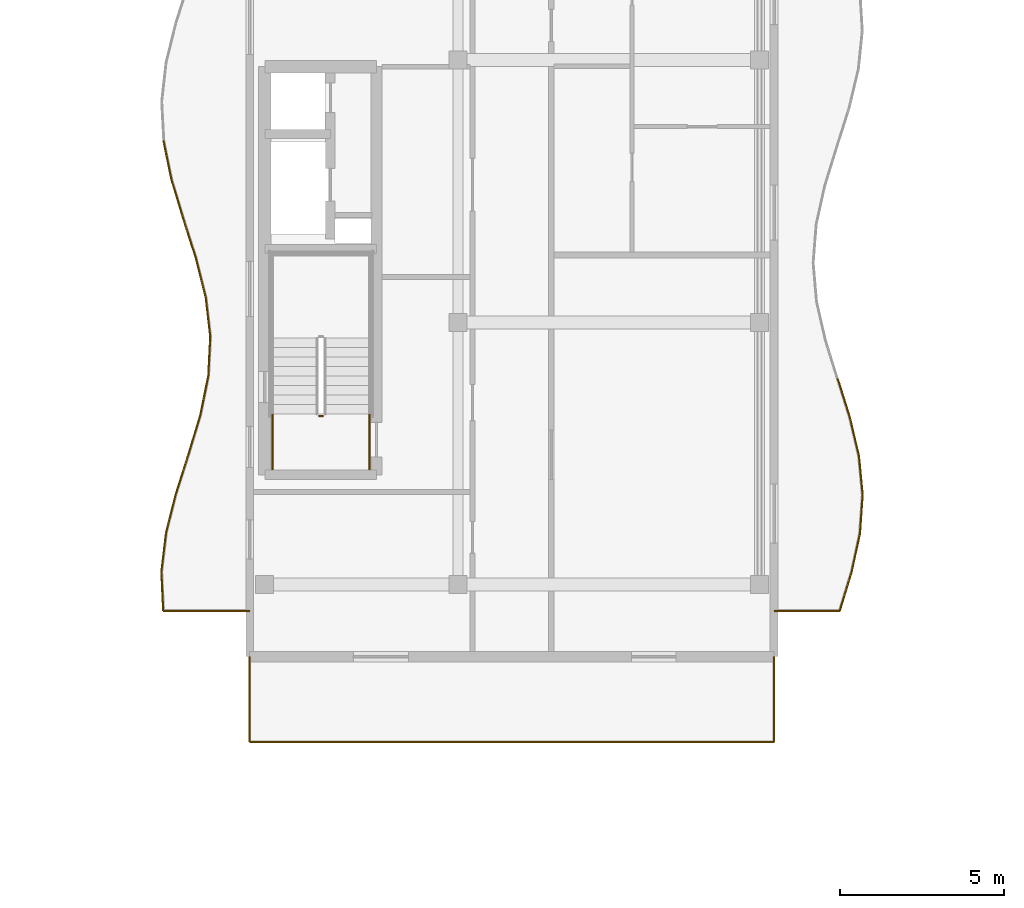
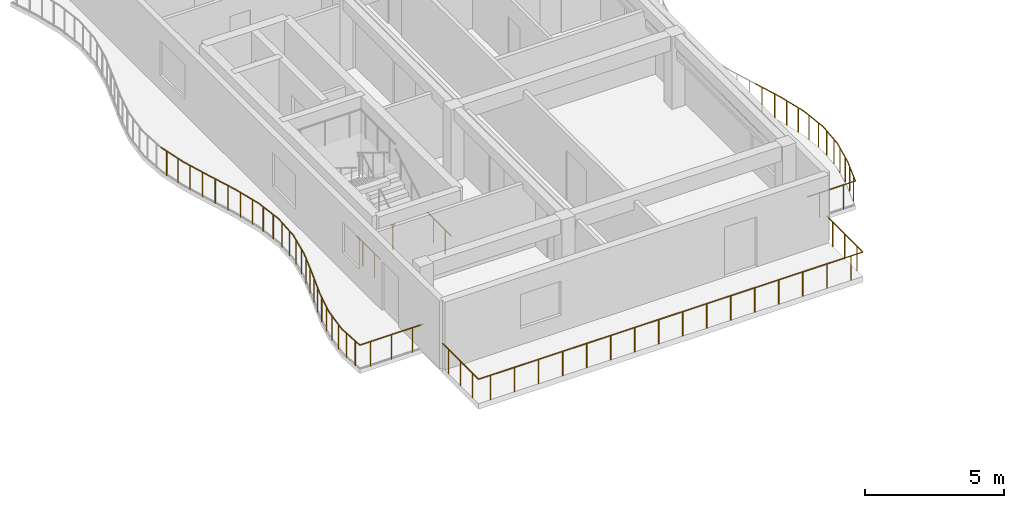
# One storey, part 40 of 54: 26 railings.
"""IFC4 building model written with IfcOpenShell, lengths in metres."""

from ifc_helpers import new_model, si_unit, direction, frame, origin, origin_2d, place, context, subcontext, project, spatial, circle, extrude, material, type_object, element, save


model = new_model("IFC4")

# Units and contexts
model_context = context("Model", 3, precision=1e-05, world=origin(), true_north=direction((0.0, 1.0)))
body_context = subcontext(model_context, "Body", "Model", "MODEL_VIEW")
ifc_project = project(units=[si_unit("LENGTHUNIT", "METRE"), si_unit("AREAUNIT", "SQUARE_METRE"), si_unit("VOLUMEUNIT", "CUBIC_METRE"), si_unit("PLANEANGLEUNIT", "RADIAN"), si_unit("MASSUNIT", "GRAM", prefix="KILO")], contexts=[model_context])

# Site, building, storey
site_placement = place(None, origin())
site = spatial("IfcSite", under=ifc_project, at=site_placement, CompositionType="ELEMENT")
building_placement = place(site_placement, origin())
building = spatial("IfcBuilding", under=site, at=building_placement, Name="Keldmere Railside Commons", CompositionType="ELEMENT")
storey_placement = place(building_placement, frame((0.0, 0.0, 26.56005859375)))
storey = spatial("IfcBuildingStorey", under=building, at=storey_placement, Name="L08", CompositionType="ELEMENT", Elevation=26.56005859375)

# Railings
ifc_material = material(Name="Steel F-24 (S235)", Category="steel")
railing_type_1 = type_object("IfcRailingType", Name="Balcony & Terrace Steel Balustrade 1100", PredefinedType="BALUSTRADE", material=ifc_material)
railing_1_placement = place(storey_placement, frame((64.0, 63.199951171875, 0.0)))
element("IfcRailing", 1, at=railing_1_placement, inside=storey, type_object=railing_type_1, Name="GR-1 GRD-L08-1672", PredefinedType="BALUSTRADE", context=body_context, shape_type="SweptSolid", body=[
    extrude(circle(Radius=0.02392578125, at=origin_2d()), frame((0.0, 0.0, 1.076171875), z_axis=(1.0, 0.0, 0.0), x_axis=(0.0, 1.0, 0.0)), (0.0, 0.0, 1.0), 2.0),
    extrude(circle(Radius=0.02099609375, at=origin_2d()), frame((0.5, 0.0, 0.0)), (0.0, 0.0, 1.0), 1.048095703125),
    extrude(circle(Radius=0.02099609375, at=origin_2d()), frame((1.5, 0.0, 0.0)), (0.0, 0.0, 1.0), 1.048095703125),
])
railing_2_placement = place(storey_placement, frame((66.0, 63.199951171875, 0.0)))
element("IfcRailing", 2, at=railing_2_placement, inside=storey, type_object=railing_type_1, Name="GR-1 GRD-L08-1673", PredefinedType="BALUSTRADE", context=body_context, shape_type="SweptSolid", body=[
    extrude(circle(Radius=0.02392578125, at=origin_2d()), frame((0.0, 0.0, 1.076171875), z_axis=(0.293349060842, 0.956005401922, 0.0), x_axis=(-0.956005401922, 0.293349060842, 0.0)), (0.0, 0.0, 1.0), 1.234130859375),
    extrude(circle(Radius=0.02099609375, at=origin_2d()), frame((0.090576171875, 0.294921875, 0.0)), (0.0, 0.0, 1.0), 1.048095703125),
    extrude(circle(Radius=0.02099609375, at=origin_2d()), frame((0.271484375, 0.885009765625, 0.0)), (0.0, 0.0, 1.0), 1.048095703125),
])
railing_3_placement = place(storey_placement, frame((66.362060546875, 64.3798828125, 0.0)))
element("IfcRailing", 3, at=railing_3_placement, inside=storey, type_object=railing_type_1, Name="GR-1 GRD-L08-1674", PredefinedType="BALUSTRADE", context=body_context, shape_type="SweptSolid", body=[
    extrude(circle(Radius=0.02392578125, at=origin_2d()), frame((0.0, 0.0, 1.076171875), z_axis=(0.211296247287, 0.977422066398, 0.0), x_axis=(-0.977422066398, 0.211296247287, 0.0)), (0.0, 0.0, 1.0), 1.20751953125),
    extrude(circle(Radius=0.02099609375, at=origin_2d()), frame((0.063720703125, 0.294921875, 0.0)), (0.0, 0.0, 1.0), 1.048095703125),
    extrude(circle(Radius=0.02099609375, at=origin_2d()), frame((0.19140625, 0.88525390625, 0.0)), (0.0, 0.0, 1.0), 1.048095703125),
])
railing_4_placement = place(storey_placement, frame((66.6171875, 65.56005859375, 0.0)))
element("IfcRailing", 4, at=railing_4_placement, inside=storey, type_object=railing_type_1, Name="GR-1 GRD-L08-1675", PredefinedType="BALUSTRADE", context=body_context, shape_type="SweptSolid", body=[
    extrude(circle(Radius=0.02392578125, at=origin_2d()), frame((0.0, 0.0, 1.076171875), z_axis=(0.069560047021, 0.997577766321, 0.0), x_axis=(-0.997577766321, 0.069560047021, 0.0)), (0.0, 0.0, 1.0), 1.182861328125),
    extrude(circle(Radius=0.02099609375, at=origin_2d()), frame((0.0205078125, 0.294921875, 0.0)), (0.0, 0.0, 1.0), 1.048095703125),
    extrude(circle(Radius=0.02099609375, at=origin_2d()), frame((0.061767578125, 0.885009765625, 0.0)), (0.0, 0.0, 1.0), 1.048095703125),
])
railing_5_placement = place(storey_placement, frame((66.699462890625, 66.739990234375, 0.0)))
element("IfcRailing", 5, at=railing_5_placement, inside=storey, type_object=railing_type_1, Name="GR-1 GRD-L08-1676", PredefinedType="BALUSTRADE", context=body_context, shape_type="SweptSolid", body=[
    extrude(circle(Radius=0.02392578125, at=origin_2d()), frame((0.0, 0.0, 1.076171875), z_axis=(-0.094750770057, 0.995501025401, 0.0), x_axis=(-0.995501025401, -0.094750770057, 0.0)), (0.0, 0.0, 1.0), 1.185302734375),
    extrude(circle(Radius=0.02099609375, at=origin_2d()), frame((-0.028076171875, 0.294921875, 0.0)), (0.0, 0.0, 1.0), 1.048095703125),
    extrude(circle(Radius=0.02099609375, at=origin_2d()), frame((-0.084228515625, 0.885009765625, 0.0)), (0.0, 0.0, 1.0), 1.048095703125),
])
railing_6_placement = place(storey_placement, frame((66.587158203125, 67.919921875, 0.0)))
element("IfcRailing", 6, at=railing_6_placement, inside=storey, type_object=railing_type_1, Name="GR-1 GRD-L08-1677", PredefinedType="BALUSTRADE", context=body_context, shape_type="SweptSolid", body=[
    extrude(circle(Radius=0.02392578125, at=origin_2d()), frame((0.0, 0.0, 1.076171875), z_axis=(-0.228769935283, 0.973480516862, 0.0), x_axis=(-0.973480516862, -0.228769935283, 0.0)), (0.0, 0.0, 1.0), 1.21240234375),
    extrude(circle(Radius=0.02099609375, at=origin_2d()), frame((-0.0693359375, 0.294921875, 0.0)), (0.0, 0.0, 1.0), 1.048095703125),
    extrude(circle(Radius=0.02099609375, at=origin_2d()), frame((-0.2080078125, 0.88525390625, 0.0)), (0.0, 0.0, 1.0), 1.048095703125),
])
railing_7_placement = place(storey_placement, frame((66.309814453125, 69.10009765625, 0.0)))
element("IfcRailing", 7, at=railing_7_placement, inside=storey, type_object=railing_type_1, Name="GR-1 GRD-L08-1678", PredefinedType="BALUSTRADE", context=body_context, shape_type="SweptSolid", body=[
    extrude(circle(Radius=0.02392578125, at=origin_2d()), frame((0.0, 0.0, 1.076171875), z_axis=(-0.299657201194, 0.954046938978, 0.0), x_axis=(-0.954046938978, -0.299657201194, 0.0)), (0.0, 0.0, 1.0), 1.23681640625),
    extrude(circle(Radius=0.02099609375, at=origin_2d()), frame((-0.0927734375, 0.294921875, 0.0)), (0.0, 0.0, 1.0), 1.048095703125),
    extrude(circle(Radius=0.02099609375, at=origin_2d()), frame((-0.27783203125, 0.885009765625, 0.0)), (0.0, 0.0, 1.0), 1.048095703125),
])
railing_8_placement = place(storey_placement, frame((48.0, 63.199951171875, 0.0)))
element("IfcRailing", 8, at=railing_8_placement, inside=storey, type_object=railing_type_1, Name="GR-1 GRD-L08-1694", PredefinedType="BALUSTRADE", context=body_context, shape_type="SweptSolid", body=[
    extrude(circle(Radius=0.02392578125, at=origin_2d()), frame((0.0, 0.0, 1.076171875), z_axis=(-1.0, 0.0, 0.0), x_axis=(0.0, -1.0, 0.0)), (0.0, 0.0, 1.0), 2.6396484375),
    extrude(circle(Radius=0.02099609375, at=origin_2d()), frame((-0.43994140625, 0.0, 0.0)), (0.0, 0.0, 1.0), 1.048095703125),
    extrude(circle(Radius=0.02099609375, at=origin_2d()), frame((-1.31982421875, 0.0, 0.0)), (0.0, 0.0, 1.0), 1.048095703125),
    extrude(circle(Radius=0.02099609375, at=origin_2d()), frame((-2.19970703125, 0.0, 0.0)), (0.0, 0.0, 1.0), 1.048095703125),
])
railing_9_placement = place(storey_placement, frame((45.3603515625, 63.199951171875, 0.0)))
element("IfcRailing", 9, at=railing_9_placement, inside=storey, type_object=railing_type_1, Name="GR-1 GRD-L08-1695", PredefinedType="BALUSTRADE", context=body_context, shape_type="SweptSolid", body=[
    extrude(circle(Radius=0.02392578125, at=origin_2d()), frame((0.0, 0.0, 1.076171875), z_axis=(-0.046101634979, 0.998936754381, 0.0), x_axis=(-0.998936754381, -0.046101634979, 0.0)), (0.0, 0.0, 1.0), 1.19677734375),
    extrude(circle(Radius=0.02099609375, at=origin_2d()), frame((-0.013671875, 0.298828125, 0.0)), (0.0, 0.0, 1.0), 1.048095703125),
    extrude(circle(Radius=0.02099609375, at=origin_2d()), frame((-0.04150390625, 0.896728515625, 0.0)), (0.0, 0.0, 1.0), 1.048095703125),
])
railing_10_placement = place(storey_placement, frame((45.30517578125, 64.3955078125, 0.0)))
element("IfcRailing", 10, at=railing_10_placement, inside=storey, type_object=railing_type_1, Name="GR-1 GRD-L08-1696", PredefinedType="BALUSTRADE", context=body_context, shape_type="SweptSolid", body=[
    extrude(circle(Radius=0.02392578125, at=origin_2d()), frame((0.0, 0.0, 1.076171875), z_axis=(0.118641389623, 0.99293716854, 0.0), x_axis=(-0.99293716854, 0.118641389623, 0.0)), (0.0, 0.0, 1.0), 1.203857421875),
    extrude(circle(Radius=0.02099609375, at=origin_2d()), frame((0.03564453125, 0.298828125, 0.0)), (0.0, 0.0, 1.0), 1.048095703125),
    extrude(circle(Radius=0.02099609375, at=origin_2d()), frame((0.107177734375, 0.896484375, 0.0)), (0.0, 0.0, 1.0), 1.048095703125),
])
railing_11_placement = place(storey_placement, frame((45.447998046875, 65.5908203125, 0.0)))
element("IfcRailing", 11, at=railing_11_placement, inside=storey, type_object=railing_type_1, Name="GR-1 GRD-L08-1697", PredefinedType="BALUSTRADE", context=body_context, shape_type="SweptSolid", body=[
    extrude(circle(Radius=0.02392578125, at=origin_2d()), frame((0.0, 0.0, 1.076171875), z_axis=(0.245840971652, 0.96931017567, 0.0), x_axis=(-0.96931017567, 0.245840971652, 0.0)), (0.0, 0.0, 1.0), 1.2333984375),
    extrude(circle(Radius=0.02099609375, at=origin_2d()), frame((0.07568359375, 0.298828125, 0.0)), (0.0, 0.0, 1.0), 1.048095703125),
    extrude(circle(Radius=0.02099609375, at=origin_2d()), frame((0.2275390625, 0.896728515625, 0.0)), (0.0, 0.0, 1.0), 1.048095703125),
])
railing_12_placement = place(storey_placement, frame((45.751220703125, 66.786376953125, 0.0)))
element("IfcRailing", 12, at=railing_12_placement, inside=storey, type_object=railing_type_1, Name="GR-1 GRD-L08-1698", PredefinedType="BALUSTRADE", context=body_context, shape_type="SweptSolid", body=[
    extrude(circle(Radius=0.02392578125, at=origin_2d()), frame((0.0, 0.0, 1.076171875), z_axis=(0.304648666743, 0.952464797172, 0.0), x_axis=(-0.952464797172, 0.304648666743, 0.0)), (0.0, 0.0, 1.0), 1.2548828125),
    extrude(circle(Radius=0.02099609375, at=origin_2d()), frame((0.095703125, 0.298828125, 0.0)), (0.0, 0.0, 1.0), 1.048095703125),
    extrude(circle(Radius=0.02099609375, at=origin_2d()), frame((0.28662109375, 0.896484375, 0.0)), (0.0, 0.0, 1.0), 1.048095703125),
])
railing_13_placement = place(storey_placement, frame((46.133544921875, 67.981689453125, 0.0)))
element("IfcRailing", 13, at=railing_13_placement, inside=storey, type_object=railing_type_1, Name="GR-1 GRD-L08-1699", PredefinedType="BALUSTRADE", context=body_context, shape_type="SweptSolid", body=[
    extrude(circle(Radius=0.02392578125, at=origin_2d()), frame((0.0, 0.0, 1.076171875), z_axis=(0.288585331697, 0.957454179755, 0.0), x_axis=(-0.957454179755, 0.288585331697, 0.0)), (0.0, 0.0, 1.0), 1.248779296875),
    extrude(circle(Radius=0.02099609375, at=origin_2d()), frame((0.090087890625, 0.298828125, 0.0)), (0.0, 0.0, 1.0), 1.048095703125),
    extrude(circle(Radius=0.02099609375, at=origin_2d()), frame((0.270263671875, 0.896728515625, 0.0)), (0.0, 0.0, 1.0), 1.048095703125),
])
railing_14_placement = place(storey_placement, frame((46.493896484375, 69.17724609375, 0.0)))
element("IfcRailing", 14, at=railing_14_placement, inside=storey, type_object=railing_type_1, Name="GR-1 GRD-L08-1700", PredefinedType="BALUSTRADE", context=body_context, shape_type="SweptSolid", body=[
    extrude(circle(Radius=0.02392578125, at=origin_2d()), frame((0.0, 0.0, 1.076171875), z_axis=(0.198540326273, 0.980092719514, 0.0), x_axis=(-0.980092719514, 0.198540326273, 0.0)), (0.0, 0.0, 1.0), 1.2197265625),
    extrude(circle(Radius=0.02099609375, at=origin_2d()), frame((0.060546875, 0.298828125, 0.0)), (0.0, 0.0, 1.0), 1.048095703125),
    extrude(circle(Radius=0.02099609375, at=origin_2d()), frame((0.181640625, 0.896728515625, 0.0)), (0.0, 0.0, 1.0), 1.048095703125),
])
railing_15_placement = place(storey_placement, frame((46.736083984375, 70.372802734375, 0.0)))
element("IfcRailing", 15, at=railing_15_placement, inside=storey, type_object=railing_type_1, Name="GR-1 GRD-L08-1701", PredefinedType="BALUSTRADE", context=body_context, shape_type="SweptSolid", body=[
    extrude(circle(Radius=0.02392578125, at=origin_2d()), frame((0.0, 0.0, 1.076171875), z_axis=(0.049978313784, 0.998750303205, 0.0), x_axis=(-0.998750303205, 0.049978313784, 0.0)), (0.0, 0.0, 1.0), 1.19677734375),
    extrude(circle(Radius=0.02099609375, at=origin_2d()), frame((0.014892578125, 0.298828125, 0.0)), (0.0, 0.0, 1.0), 1.048095703125),
    extrude(circle(Radius=0.02099609375, at=origin_2d()), frame((0.044921875, 0.896484375, 0.0)), (0.0, 0.0, 1.0), 1.048095703125),
])
railing_16_placement = place(storey_placement, frame((46.7958984375, 71.568115234375, 0.0)))
element("IfcRailing", 16, at=railing_16_placement, inside=storey, type_object=railing_type_1, Name="GR-1 GRD-L08-1702", PredefinedType="BALUSTRADE", context=body_context, shape_type="SweptSolid", body=[
    extrude(circle(Radius=0.02392578125, at=origin_2d()), frame((0.0, 0.0, 1.076171875), z_axis=(-0.115216933004, 0.99334035373, 0.0), x_axis=(-0.99334035373, -0.115216933004, 0.0)), (0.0, 0.0, 1.0), 1.20361328125),
    extrude(circle(Radius=0.02099609375, at=origin_2d()), frame((-0.03466796875, 0.298828125, 0.0)), (0.0, 0.0, 1.0), 1.048095703125),
    extrude(circle(Radius=0.02099609375, at=origin_2d()), frame((-0.10400390625, 0.896728515625, 0.0)), (0.0, 0.0, 1.0), 1.048095703125),
])
railing_17_placement = place(storey_placement, frame((46.6572265625, 72.763671875, 0.0)))
element("IfcRailing", 17, at=railing_17_placement, inside=storey, type_object=railing_type_1, Name="GR-1 GRD-L08-1703", PredefinedType="BALUSTRADE", context=body_context, shape_type="SweptSolid", body=[
    extrude(circle(Radius=0.02392578125, at=origin_2d()), frame((0.0, 0.0, 1.076171875), z_axis=(-0.2434677593, 0.969908990669, 0.0), x_axis=(-0.969908990669, -0.2434677593, 0.0)), (0.0, 0.0, 1.0), 1.232421875),
    extrude(circle(Radius=0.02099609375, at=origin_2d()), frame((-0.074951171875, 0.298828125, 0.0)), (0.0, 0.0, 1.0), 1.048095703125),
    extrude(circle(Radius=0.02099609375, at=origin_2d()), frame((-0.22509765625, 0.896484375, 0.0)), (0.0, 0.0, 1.0), 1.048095703125),
])
railing_18_placement = place(storey_placement, frame((46.357177734375, 73.958984375, 0.0)))
element("IfcRailing", 18, at=railing_18_placement, inside=storey, type_object=railing_type_1, Name="GR-1 GRD-L08-1704", PredefinedType="BALUSTRADE", context=body_context, shape_type="SweptSolid", body=[
    extrude(circle(Radius=0.02392578125, at=origin_2d()), frame((0.0, 0.0, 1.076171875), z_axis=(-0.304239248994, 0.95259565366, 0.0), x_axis=(-0.95259565366, -0.304239248994, 0.0)), (0.0, 0.0, 1.0), 1.255126953125),
    extrude(circle(Radius=0.02099609375, at=origin_2d()), frame((-0.095458984375, 0.298828125, 0.0)), (0.0, 0.0, 1.0), 1.048095703125),
    extrude(circle(Radius=0.02099609375, at=origin_2d()), frame((-0.286376953125, 0.896728515625, 0.0)), (0.0, 0.0, 1.0), 1.048095703125),
])
railing_19_placement = place(storey_placement, frame((45.975341796875, 75.154541015625, 0.0)))
element("IfcRailing", 19, at=railing_19_placement, inside=storey, type_object=railing_type_1, Name="GR-1 GRD-L08-1705", PredefinedType="BALUSTRADE", context=body_context, shape_type="SweptSolid", body=[
    extrude(circle(Radius=0.02392578125, at=origin_2d()), frame((0.0, 0.0, 1.076171875), z_axis=(-0.289839235799, 0.957075345723, 0.0), x_axis=(-0.957075345723, -0.289839235799, 0.0)), (0.0, 0.0, 1.0), 1.249267578125),
    extrude(circle(Radius=0.02099609375, at=origin_2d()), frame((-0.090576171875, 0.298828125, 0.0)), (0.0, 0.0, 1.0), 1.048095703125),
    extrude(circle(Radius=0.02099609375, at=origin_2d()), frame((-0.271484375, 0.896728515625, 0.0)), (0.0, 0.0, 1.0), 1.048095703125),
])
railing_20_placement = place(storey_placement, frame((45.61328125, 76.35009765625, 0.0)))
element("IfcRailing", 20, at=railing_20_placement, inside=storey, type_object=railing_type_1, Name="GR-1 GRD-L08-1706", PredefinedType="BALUSTRADE", context=body_context, shape_type="SweptSolid", body=[
    extrude(circle(Radius=0.02392578125, at=origin_2d()), frame((0.0, 0.0, 1.076171875), z_axis=(-0.20126903907, 0.979535999293, 0.0), x_axis=(-0.979535999293, -0.20126903907, 0.0)), (0.0, 0.0, 1.0), 1.22021484375),
    extrude(circle(Radius=0.02099609375, at=origin_2d()), frame((-0.0615234375, 0.298828125, 0.0)), (0.0, 0.0, 1.0), 1.048095703125),
    extrude(circle(Radius=0.02099609375, at=origin_2d()), frame((-0.18408203125, 0.896484375, 0.0)), (0.0, 0.0, 1.0), 1.048095703125),
])
railing_21_placement = place(storey_placement, frame((48.0, 61.800048828125, 0.0)))
element("IfcRailing", 21, at=railing_21_placement, inside=storey, type_object=railing_type_1, Name="GR-1 GRD-L08-1740", PredefinedType="BALUSTRADE", context=body_context, shape_type="SweptSolid", body=[
    extrude(circle(Radius=0.02392578125, at=origin_2d()), frame((0.0, 0.0, 1.076171875), z_axis=(0.0, -1.0, 0.0), x_axis=(1.0, 0.0, 0.0)), (0.0, 0.0, 1.0), 2.60009765625),
    extrude(circle(Radius=0.02099609375, at=origin_2d()), frame((0.0, -0.433349609375, 0.0)), (0.0, 0.0, 1.0), 1.048095703125),
    extrude(circle(Radius=0.02099609375, at=origin_2d()), frame((0.0, -1.300048828125, 0.0)), (0.0, 0.0, 1.0), 1.048095703125),
    extrude(circle(Radius=0.02099609375, at=origin_2d()), frame((0.0, -2.166748046875, 0.0)), (0.0, 0.0, 1.0), 1.048095703125),
])
railing_22_placement = place(storey_placement, frame((48.0, 59.199951171875, 0.0)))
element("IfcRailing", 22, at=railing_22_placement, inside=storey, type_object=railing_type_1, Name="GR-1 GRD-L08-1741", PredefinedType="BALUSTRADE", context=body_context, shape_type="SweptSolid", body=[
    extrude(circle(Radius=0.02392578125, at=origin_2d()), frame((0.0, 0.0, 1.076171875), z_axis=(1.0, 0.0, 0.0), x_axis=(0.0, 1.0, 0.0)), (0.0, 0.0, 1.0), 16.0),
    extrude(circle(Radius=0.02099609375, at=origin_2d()), frame((0.5, 0.0, 0.0)), (0.0, 0.0, 1.0), 1.048095703125),
    extrude(circle(Radius=0.02099609375, at=origin_2d()), frame((1.5, 0.0, 0.0)), (0.0, 0.0, 1.0), 1.048095703125),
    extrude(circle(Radius=0.02099609375, at=origin_2d()), frame((2.5, 0.0, 0.0)), (0.0, 0.0, 1.0), 1.048095703125),
    extrude(circle(Radius=0.02099609375, at=origin_2d()), frame((3.5, 0.0, 0.0)), (0.0, 0.0, 1.0), 1.048095703125),
    extrude(circle(Radius=0.02099609375, at=origin_2d()), frame((4.5, 0.0, 0.0)), (0.0, 0.0, 1.0), 1.048095703125),
    extrude(circle(Radius=0.02099609375, at=origin_2d()), frame((5.5, 0.0, 0.0)), (0.0, 0.0, 1.0), 1.048095703125),
    extrude(circle(Radius=0.02099609375, at=origin_2d()), frame((6.5, 0.0, 0.0)), (0.0, 0.0, 1.0), 1.048095703125),
    extrude(circle(Radius=0.02099609375, at=origin_2d()), frame((7.5, 0.0, 0.0)), (0.0, 0.0, 1.0), 1.048095703125),
    extrude(circle(Radius=0.02099609375, at=origin_2d()), frame((8.5, 0.0, 0.0)), (0.0, 0.0, 1.0), 1.048095703125),
    extrude(circle(Radius=0.02099609375, at=origin_2d()), frame((9.5, 0.0, 0.0)), (0.0, 0.0, 1.0), 1.048095703125),
    extrude(circle(Radius=0.02099609375, at=origin_2d()), frame((10.5, 0.0, 0.0)), (0.0, 0.0, 1.0), 1.048095703125),
    extrude(circle(Radius=0.02099609375, at=origin_2d()), frame((11.5, 0.0, 0.0)), (0.0, 0.0, 1.0), 1.048095703125),
    extrude(circle(Radius=0.02099609375, at=origin_2d()), frame((12.5, 0.0, 0.0)), (0.0, 0.0, 1.0), 1.048095703125),
    extrude(circle(Radius=0.02099609375, at=origin_2d()), frame((13.5, 0.0, 0.0)), (0.0, 0.0, 1.0), 1.048095703125),
    extrude(circle(Radius=0.02099609375, at=origin_2d()), frame((14.5, 0.0, 0.0)), (0.0, 0.0, 1.0), 1.048095703125),
    extrude(circle(Radius=0.02099609375, at=origin_2d()), frame((15.5, 0.0, 0.0)), (0.0, 0.0, 1.0), 1.048095703125),
])
railing_23_placement = place(storey_placement, frame((64.0, 59.199951171875, 0.0)))
element("IfcRailing", 23, at=railing_23_placement, inside=storey, type_object=railing_type_1, Name="GR-1 GRD-L08-1742", PredefinedType="BALUSTRADE", context=body_context, shape_type="SweptSolid", body=[
    extrude(circle(Radius=0.02392578125, at=origin_2d()), frame((0.0, 0.0, 1.076171875), z_axis=(0.0, 1.0, 0.0), x_axis=(-1.0, 0.0, 0.0)), (0.0, 0.0, 1.0), 2.60009765625),
    extrude(circle(Radius=0.02099609375, at=origin_2d()), frame((0.0, 0.433349609375, 0.0)), (0.0, 0.0, 1.0), 1.048095703125),
    extrude(circle(Radius=0.02099609375, at=origin_2d()), frame((0.0, 1.300048828125, 0.0)), (0.0, 0.0, 1.0), 1.048095703125),
    extrude(circle(Radius=0.02099609375, at=origin_2d()), frame((0.0, 2.166748046875, 0.0)), (0.0, 0.0, 1.0), 1.048095703125),
])
railing_type_2 = type_object("IfcRailingType", Name="Stair Well Steel Guardrail 1100", PredefinedType="BALUSTRADE", material=ifc_material)
railing_24_placement = place(storey_placement, frame((50.25, 69.14990234375, 0.0)))
element("IfcRailing", 24, at=railing_24_placement, inside=storey, type_object=railing_type_2, Name="L08 ST-C1 stair guard 7", PredefinedType="BALUSTRADE", context=body_context, shape_type="SweptSolid", body=[
    extrude(circle(Radius=0.02392578125, at=origin_2d()), frame((0.0, 0.0, 1.076171875), z_axis=(-1.0, 0.0, 0.0), x_axis=(0.0, -1.0, 0.0)), (0.0, 0.0, 1.0), 0.14990234375),
    extrude(circle(Radius=0.02099609375, at=origin_2d()), frame((-0.074951171875, 0.0, 0.0)), (0.0, 0.0, 1.0), 1.048095703125),
])
for number, where, name in (
    (25, (51.64990234375, 67.5, 0.0), "L08 ST-C1 stair guard 8"),
    (26, (48.699951171875, 67.5, 0.0), "L08 ST-C1 stair guard 9"),
):
    element("IfcRailing", number, at=place(storey_placement, frame(where)), inside=storey, type_object=railing_type_2, Name=name, PredefinedType="BALUSTRADE", context=body_context, shape_type="SweptSolid", body=[
        extrude(circle(Radius=0.02392578125, at=origin_2d()), frame((0.0, 0.0, 1.076171875), z_axis=(0.0, 1.0, 0.0), x_axis=(-1.0, 0.0, 0.0)), (0.0, 0.0, 1.0), 1.699951171875),
        extrude(circle(Radius=0.02099609375, at=origin_2d()), frame((0.0, 0.425048828125, 0.0)), (0.0, 0.0, 1.0), 1.048095703125),
        extrude(circle(Radius=0.02099609375, at=origin_2d()), frame((0.0, 1.27490234375, 0.0)), (0.0, 0.0, 1.0), 1.048095703125),
    ])

save(model, "model.ifc")
